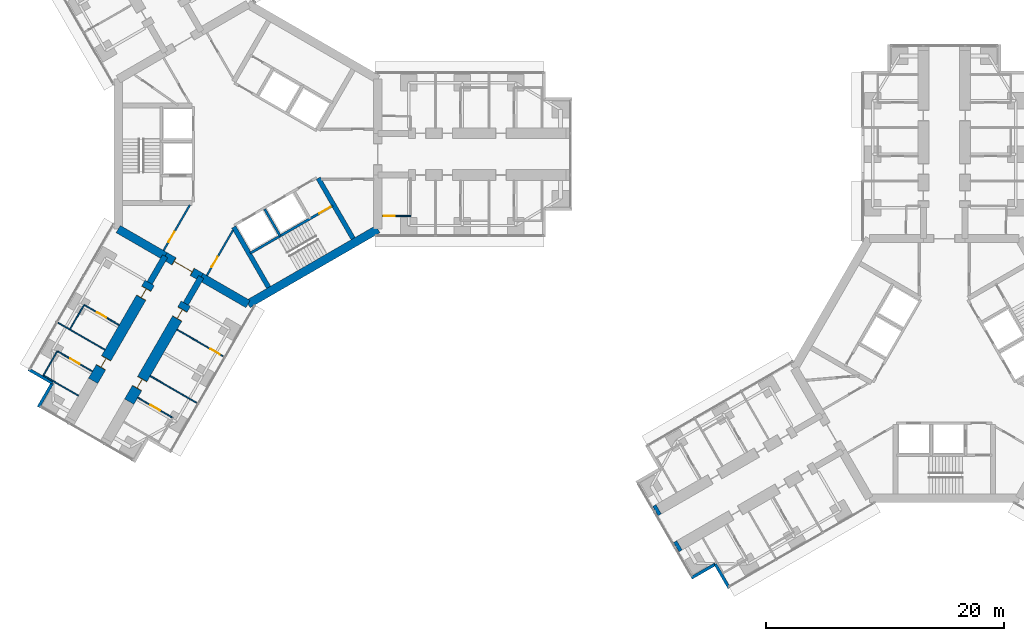
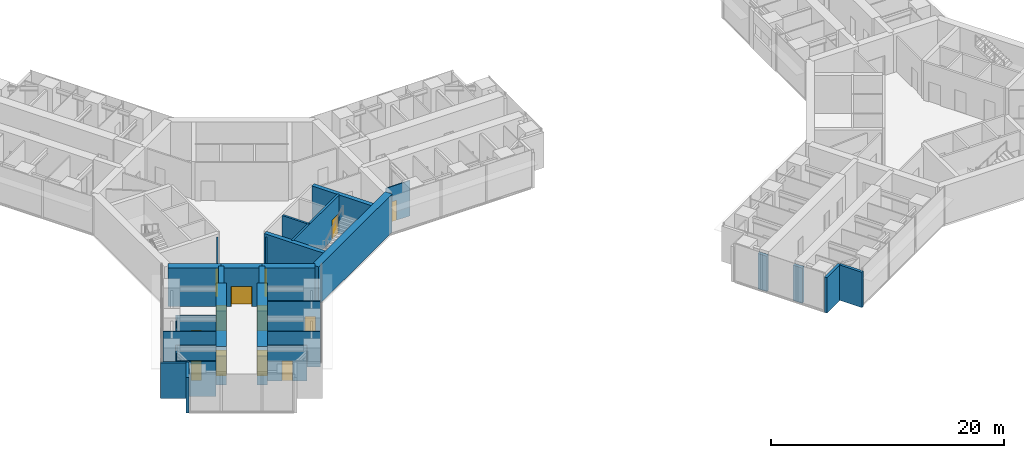
# One storey, part 16 of 25: 30 walls, 13 doors, 13 openings.
"""IFC4 building model written with IfcOpenShell, lengths in metres."""

from ifc_helpers import new_model, si_unit, direction, frame, frame_2d, origin, place, context, subcontext, project, spatial, rectangle, extrude, material, layer, layer_set, type_object, element, fill, save


model = new_model("IFC4")

# Units and contexts
model_context = context("Model", 3, precision=1e-05, world=origin(), true_north=direction((0.0, 1.0)))
body_context = subcontext(model_context, "Body", "Model", "MODEL_VIEW")
ifc_project = project(units=[si_unit("LENGTHUNIT", "METRE"), si_unit("AREAUNIT", "SQUARE_METRE"), si_unit("VOLUMEUNIT", "CUBIC_METRE"), si_unit("PLANEANGLEUNIT", "RADIAN"), si_unit("MASSUNIT", "GRAM", prefix="KILO")], contexts=[model_context])

# Site, building, storey
site_placement = place(None, origin())
site = spatial("IfcSite", under=ifc_project, at=site_placement, CompositionType="ELEMENT")
building_placement = place(site_placement, origin())
building = spatial("IfcBuilding", under=site, at=building_placement, Name="Upepo Twin Towers", CompositionType="ELEMENT")
storey_placement = place(building_placement, frame((0.0, 0.0, 88.5)))
storey = spatial("IfcBuildingStorey", under=building, at=storey_placement, Name="L21", CompositionType="ELEMENT", Elevation=88.5)

# Walls
ifc_material_1 = material(Name="Dense concrete blockwork", Category="masonry")
ifc_layer_1 = layer(ifc_material_1, 0.89990234375)
ifc_layer_set_1 = layer_set([ifc_layer_1], Name="Buttress closer 900, blockwork with fire-stopping to the curtain wall")
wall_type_1 = type_object("IfcWallType", Name="Buttress closer 900, blockwork with fire-stopping to the curtain wall", PredefinedType="PARTITIONING", material=ifc_layer_set_1)
for number, where, z_axis, x_axis, name in (
    (1, (36.252197265625, -32.865478515625, 0.0), (0.0, 0.0, 1.0), (-0.866054481515, -0.499949632511, 0.0), "T2 L21 wing B buttress closer L"),
    (2, (34.502197265625, -29.83447265625, 0.0), (0.0, 0.0, 1.0), (-0.866054481515, -0.499949632511, 0.0), "T2 L21 wing B buttress closer R"),
):
    element("IfcWall", number, at=place(storey_placement, frame(where, z_axis=z_axis, x_axis=x_axis)), inside=storey, type_object=wall_type_1, Name=name, PredefinedType="PARTITIONING", context=body_context, shape_type="SweptSolid", body=[
        extrude(rectangle(XDim=0.31005859375, YDim=0.89990234375, at=frame_2d((0.155029296875, 0.0))), origin(), (0.0, 0.0, 1.0), 3.699951171875),
    ])
ifc_material_2 = material(Name="Concrete C60/75", Category="concrete")
ifc_layer_2 = layer(ifc_material_2, 0.5)
ifc_layer_set_2 = layer_set([ifc_layer_2], Name="Concrete C60/75")
wall_type_2 = type_object("IfcWallType", Name="Buttress wall 500 RC", PredefinedType="SHEAR", material=ifc_layer_set_2)
for number, where, z_axis, x_axis, name in (
    (3, (-3.938720703125, -10.32177734375, 0.0), (0.0, 0.0, 1.0), (-0.499918158782, -0.866072649678, 0.0), "T1 wing C buttress wall L"),
    (4, (-6.9697265625, -8.57177734375, 0.0), (0.0, 0.0, 1.0), (-0.499988811324, -0.866031863473, 0.0), "T1 wing C buttress wall R"),
):
    element("IfcWall", number, at=place(storey_placement, frame(where, z_axis=z_axis, x_axis=x_axis)), inside=storey, type_object=wall_type_2, Name=name, PredefinedType="SHEAR", context=body_context, shape_type="SweptSolid", body=[
        extrude(rectangle(XDim=2.591796875, YDim=0.5, at=frame_2d((1.2958984375, 0.0))), origin(), (0.0, 0.0, 1.0), 4.0),
    ])

# Wall, openings, doors
ifc_material_3 = material(Name="Concrete C60/75", Category="concrete")
ifc_layer_3 = layer(ifc_material_3, 0.89990234375)
ifc_layer_set_3 = layer_set([ifc_layer_3], Name="Concrete C60/75")
wall_type_3 = type_object("IfcWallType", Name="Buttress wall 900 RC", PredefinedType="SHEAR", material=ifc_layer_set_3)
wall_1_placement = place(storey_placement, frame((-5.234375, -12.56640625, 0.0), z_axis=(0.0, 0.0, 1.0), x_axis=(-0.499997557548, -0.86602681393, 0.0)))
wall_1 = element("IfcWall", 5, at=wall_1_placement, inside=storey, type_object=wall_type_3, Name="T1 wing C buttress wall L part 2", PredefinedType="SHEAR", context=body_context, shape_type="SweptSolid", body=[
    extrude(rectangle(XDim=9.5, YDim=0.89990234375, at=frame_2d((4.75, 0.0))), origin(), (0.0, 0.0, 1.0), 4.0),
])
opening_1_placement = place(wall_1_placement, frame((0.550048828125, 0.0, 0.0)))
opening_1 = element("IfcOpeningElement", 6, at=opening_1_placement, cuts=wall_1, Name="Opening D14", PredefinedType="OPENING", context=body_context, shape_type="SweptSolid", body=[
    extrude(rectangle(XDim=0.89990234375, YDim=2.10009765625, at=frame_2d((0.449951171875, 1.050048828125))), frame((0.0, 0.4599609375, 0.0), z_axis=(0.0, -1.0, 0.0), x_axis=(1.0, 0.0, 0.0)), (0.0, 0.0, 1.0), 0.919921875),
])
opening_2_placement = place(wall_1_placement, frame((7.300048828125, 0.0, 0.0)))
opening_2 = element("IfcOpeningElement", 7, at=opening_2_placement, cuts=wall_1, Name="Opening D14", PredefinedType="OPENING", context=body_context, shape_type="SweptSolid", body=[
    extrude(rectangle(XDim=0.89990234375, YDim=2.10009765625, at=frame_2d((0.449951171875, 1.050048828125))), frame((0.0, 0.4599609375, 0.0), z_axis=(0.0, -1.0, 0.0), x_axis=(1.0, 0.0, 0.0)), (0.0, 0.0, 1.0), 0.919921875),
])
ifc_material_4 = material(Name="Timber doorset", Category="wood")
door_type_1 = type_object("IfcDoorType", Name="Office door 900 FD30", OperationType="SINGLE_SWING_LEFT", PredefinedType="DOOR", material=ifc_material_4)
door_1_placement = place(opening_1_placement, origin())
door_1 = element("IfcDoor", 8, at=door_1_placement, inside=storey, type_object=door_type_1, Name="T1 L21 meeting room door", OperationType="SINGLE_SWING_LEFT", OverallHeight=2.10009765625, OverallWidth=0.89990234375, PredefinedType="DOOR", context=body_context, shape_type="SweptSolid", body=[
    extrude(rectangle(XDim=0.81990234375, YDim=2.06009765625, at=frame_2d((0.449951171875, 1.030029296875))), frame((0.0, 0.02490234375, 0.0), z_axis=(0.0, -1.0, 0.0), x_axis=(1.0, 0.0, 0.0)), (0.0, 0.0, 1.0), 0.050048828125),
    extrude(rectangle(XDim=0.04, YDim=2.10009765625, at=frame_2d((0.02001953125, 1.050048828125))), frame((0.0, 0.44970703125, 0.0), z_axis=(0.0, -1.0, 0.0), x_axis=(1.0, 0.0, 0.0)), (0.0, 0.0, 1.0), 0.8994140625),
    extrude(rectangle(XDim=0.04, YDim=2.10009765625, at=frame_2d((0.8798828125, 1.050048828125))), frame((0.0, 0.44970703125, 0.0), z_axis=(0.0, -1.0, 0.0), x_axis=(1.0, 0.0, 0.0)), (0.0, 0.0, 1.0), 0.8994140625),
    extrude(rectangle(XDim=0.81990234375, YDim=0.04, at=frame_2d((0.449951171875, 2.080078125))), frame((0.0, 0.44970703125, 0.0), z_axis=(0.0, -1.0, 0.0), x_axis=(1.0, 0.0, 0.0)), (0.0, 0.0, 1.0), 0.8994140625),
])
fill(opening_1, door_1)
door_2_placement = place(opening_2_placement, origin())
door_2 = element("IfcDoor", 9, at=door_2_placement, inside=storey, type_object=door_type_1, Name="T1 L21 staff office door", OperationType="SINGLE_SWING_RIGHT", OverallHeight=2.10009765625, OverallWidth=0.89990234375, PredefinedType="DOOR", context=body_context, shape_type="SweptSolid", body=[
    extrude(rectangle(XDim=0.81990234375, YDim=2.06009765625, at=frame_2d((0.449951171875, 1.030029296875))), frame((0.0, 0.02490234375, 0.0), z_axis=(0.0, -1.0, 0.0), x_axis=(1.0, 0.0, 0.0)), (0.0, 0.0, 1.0), 0.050048828125),
    extrude(rectangle(XDim=0.04, YDim=2.10009765625, at=frame_2d((0.02001953125, 1.050048828125))), frame((0.0, 0.44970703125, 0.0), z_axis=(0.0, -1.0, 0.0), x_axis=(1.0, 0.0, 0.0)), (0.0, 0.0, 1.0), 0.8994140625),
    extrude(rectangle(XDim=0.04, YDim=2.10009765625, at=frame_2d((0.8798828125, 1.050048828125))), frame((0.0, 0.44970703125, 0.0), z_axis=(0.0, -1.0, 0.0), x_axis=(1.0, 0.0, 0.0)), (0.0, 0.0, 1.0), 0.8994140625),
    extrude(rectangle(XDim=0.81990234375, YDim=0.04, at=frame_2d((0.449951171875, 2.080078125))), frame((0.0, 0.44970703125, 0.0), z_axis=(0.0, -1.0, 0.0), x_axis=(1.0, 0.0, 0.0)), (0.0, 0.0, 1.0), 0.8994140625),
])
fill(opening_2, door_2)

wall_2_placement = place(storey_placement, frame((-8.265625, -10.81640625, 0.0), z_axis=(0.0, 0.0, 1.0), x_axis=(-0.499997557548, -0.86602681393, 0.0)))
wall_2 = element("IfcWall", 10, at=wall_2_placement, inside=storey, type_object=wall_type_3, Name="T1 wing C buttress wall R part 2", PredefinedType="SHEAR", context=body_context, shape_type="SweptSolid", body=[
    extrude(rectangle(XDim=9.5, YDim=0.89990234375, at=frame_2d((4.75, 0.0))), origin(), (0.0, 0.0, 1.0), 4.0),
])
opening_3_placement = place(wall_2_placement, frame((0.550048828125, 0.0, 0.0)))
opening_3 = element("IfcOpeningElement", 11, at=opening_3_placement, cuts=wall_2, Name="Opening D14", PredefinedType="OPENING", context=body_context, shape_type="SweptSolid", body=[
    extrude(rectangle(XDim=0.89990234375, YDim=2.10009765625, at=frame_2d((0.449951171875, 1.050048828125))), frame((0.0, 0.4599609375, 0.0), z_axis=(0.0, -1.0, 0.0), x_axis=(1.0, 0.0, 0.0)), (0.0, 0.0, 1.0), 0.919921875),
])
opening_4_placement = place(wall_2_placement, frame((7.300048828125, 0.0, 0.0)))
opening_4 = element("IfcOpeningElement", 12, at=opening_4_placement, cuts=wall_2, Name="Opening D14", PredefinedType="OPENING", context=body_context, shape_type="SweptSolid", body=[
    extrude(rectangle(XDim=0.89990234375, YDim=2.10009765625, at=frame_2d((0.449951171875, 1.050048828125))), frame((0.0, 0.4599609375, 0.0), z_axis=(0.0, -1.0, 0.0), x_axis=(1.0, 0.0, 0.0)), (0.0, 0.0, 1.0), 0.919921875),
])
door_3_placement = place(opening_3_placement, origin())
door_3 = element("IfcDoor", 13, at=door_3_placement, inside=storey, type_object=door_type_1, Name="T1 L21 open-plan staff office door", OperationType="SINGLE_SWING_LEFT", OverallHeight=2.10009765625, OverallWidth=0.89990234375, PredefinedType="DOOR", context=body_context, shape_type="SweptSolid", body=[
    extrude(rectangle(XDim=0.81990234375, YDim=2.06009765625, at=frame_2d((0.449951171875, 1.030029296875))), frame((0.0, 0.02490234375, 0.0), z_axis=(0.0, -1.0, 0.0), x_axis=(1.0, 0.0, 0.0)), (0.0, 0.0, 1.0), 0.050048828125),
    extrude(rectangle(XDim=0.04, YDim=2.10009765625, at=frame_2d((0.02001953125, 1.050048828125))), frame((0.0, 0.44970703125, 0.0), z_axis=(0.0, -1.0, 0.0), x_axis=(1.0, 0.0, 0.0)), (0.0, 0.0, 1.0), 0.8994140625),
    extrude(rectangle(XDim=0.04, YDim=2.10009765625, at=frame_2d((0.8798828125, 1.050048828125))), frame((0.0, 0.44970703125, 0.0), z_axis=(0.0, -1.0, 0.0), x_axis=(1.0, 0.0, 0.0)), (0.0, 0.0, 1.0), 0.8994140625),
    extrude(rectangle(XDim=0.81990234375, YDim=0.04, at=frame_2d((0.449951171875, 2.080078125))), frame((0.0, 0.44970703125, 0.0), z_axis=(0.0, -1.0, 0.0), x_axis=(1.0, 0.0, 0.0)), (0.0, 0.0, 1.0), 0.8994140625),
])
fill(opening_3, door_3)
door_4_placement = place(opening_4_placement, origin())
door_4 = element("IfcDoor", 14, at=door_4_placement, inside=storey, type_object=door_type_1, Name="T1 L21 postgraduate office door", OperationType="SINGLE_SWING_RIGHT", OverallHeight=2.10009765625, OverallWidth=0.89990234375, PredefinedType="DOOR", context=body_context, shape_type="SweptSolid", body=[
    extrude(rectangle(XDim=0.81990234375, YDim=2.06009765625, at=frame_2d((0.449951171875, 1.030029296875))), frame((0.0, 0.02490234375, 0.0), z_axis=(0.0, -1.0, 0.0), x_axis=(1.0, 0.0, 0.0)), (0.0, 0.0, 1.0), 0.050048828125),
    extrude(rectangle(XDim=0.04, YDim=2.10009765625, at=frame_2d((0.02001953125, 1.050048828125))), frame((0.0, 0.44970703125, 0.0), z_axis=(0.0, -1.0, 0.0), x_axis=(1.0, 0.0, 0.0)), (0.0, 0.0, 1.0), 0.8994140625),
    extrude(rectangle(XDim=0.04, YDim=2.10009765625, at=frame_2d((0.8798828125, 1.050048828125))), frame((0.0, 0.44970703125, 0.0), z_axis=(0.0, -1.0, 0.0), x_axis=(1.0, 0.0, 0.0)), (0.0, 0.0, 1.0), 0.8994140625),
    extrude(rectangle(XDim=0.81990234375, YDim=0.04, at=frame_2d((0.449951171875, 2.080078125))), frame((0.0, 0.44970703125, 0.0), z_axis=(0.0, -1.0, 0.0), x_axis=(1.0, 0.0, 0.0)), (0.0, 0.0, 1.0), 0.8994140625),
])
fill(opening_4, door_4)

# Wall
ifc_material_5 = material(Name="Concrete C60/75", Category="concrete")
ifc_layer_4 = layer(ifc_material_5, 0.699951171875)
ifc_layer_set_4 = layer_set([ifc_layer_4], Name="Concrete C60/75")
wall_type_4 = type_object("IfcWallType", Name="Core wall 700 RC", PredefinedType="SHEAR", material=ifc_layer_set_4)
wall_3_placement = place(storey_placement, frame((-10.908447265625, -6.2978515625, 0.0), z_axis=(0.0, 0.0, 1.0), x_axis=(0.866034513004, -0.499984222037, 0.0)))
element("IfcWall", 15, at=wall_3_placement, inside=storey, type_object=wall_type_4, Name="T1 core wall 240 R", PredefinedType="SHEAR", context=body_context, shape_type="SweptSolid", body=[
    extrude(rectangle(XDim=4.548095703125, YDim=0.699951171875, at=frame_2d((2.27392578125, 0.0))), origin(), (0.0, 0.0, 1.0), 4.0),
])

# Wall, opening, door
wall_4_placement = place(storey_placement, frame((-6.9697265625, -8.57177734375, 0.0), z_axis=(0.0, 0.0, 1.0), x_axis=(0.866019471182, -0.500010275428, 0.0)))
wall_4 = element("IfcWall", 16, at=wall_4_placement, inside=storey, type_object=wall_type_4, Name="T1 core wall 240", PredefinedType="SHEAR", context=body_context, shape_type="SweptSolid", body=[
    extrude(rectangle(XDim=3.5, YDim=0.699951171875, at=frame_2d((1.75, 0.0))), origin(), (0.0, 0.0, 1.0), 4.0),
])
opening_5_placement = place(wall_4_placement, frame((0.85009765625, 0.0, 0.0)))
opening_5 = element("IfcOpeningElement", 17, at=opening_5_placement, cuts=wall_4, Name="Opening D2", PredefinedType="OPENING", context=body_context, shape_type="SweptSolid", body=[
    extrude(rectangle(XDim=1.800048828125, YDim=2.10009765625, at=frame_2d((0.89990234375, 1.050048828125))), frame((0.0, 0.35986328125, 0.0), z_axis=(0.0, -1.0, 0.0), x_axis=(1.0, 0.0, 0.0)), (0.0, 0.0, 1.0), 0.719970703125),
])
ifc_material_6 = material(Name="Timber doorset", Category="wood")
door_type_2 = type_object("IfcDoorType", Name="Corridor double door 1800 FD60", OperationType="DOUBLE_DOOR_DOUBLE_SWING", PredefinedType="DOOR", material=ifc_material_6)
door_5_placement = place(opening_5_placement, origin())
door_5 = element("IfcDoor", 18, at=door_5_placement, inside=storey, type_object=door_type_2, Name="T1 L21 wing C corridor door", OperationType="DOUBLE_DOOR_DOUBLE_SWING", OverallHeight=2.10009765625, OverallWidth=1.800048828125, PredefinedType="DOOR", context=body_context, shape_type="SweptSolid", body=[
    extrude(rectangle(XDim=1.720048828125, YDim=2.06009765625, at=frame_2d((0.89990234375, 1.030029296875))), frame((0.0, 0.02490234375, 0.0), z_axis=(0.0, -1.0, 0.0), x_axis=(1.0, 0.0, 0.0)), (0.0, 0.0, 1.0), 0.050048828125),
    extrude(rectangle(XDim=0.04, YDim=2.10009765625, at=frame_2d((0.02001953125, 1.050048828125))), frame((0.0, 0.349609375, 0.0), z_axis=(0.0, -1.0, 0.0), x_axis=(1.0, 0.0, 0.0)), (0.0, 0.0, 1.0), 0.699462890625),
    extrude(rectangle(XDim=0.04, YDim=2.10009765625, at=frame_2d((1.780029296875, 1.050048828125))), frame((0.0, 0.349609375, 0.0), z_axis=(0.0, -1.0, 0.0), x_axis=(1.0, 0.0, 0.0)), (0.0, 0.0, 1.0), 0.699462890625),
    extrude(rectangle(XDim=1.720048828125, YDim=0.04, at=frame_2d((0.89990234375, 2.080078125))), frame((0.0, 0.349609375, 0.0), z_axis=(0.0, -1.0, 0.0), x_axis=(1.0, 0.0, 0.0)), (0.0, 0.0, 1.0), 0.699462890625),
])
fill(opening_5, door_5)

# Walls
wall_5_placement = place(storey_placement, frame((-3.938720703125, -10.32177734375, 0.0), z_axis=(0.0, 0.0, 1.0), x_axis=(0.866011268655, -0.500024481964, 0.0)))
element("IfcWall", 19, at=wall_5_placement, inside=storey, type_object=wall_type_4, Name="T1 core wall 240 L", PredefinedType="SHEAR", context=body_context, shape_type="SweptSolid", body=[
    extrude(rectangle(XDim=4.548095703125, YDim=0.699951171875, at=frame_2d((2.27392578125, 0.0))), origin(), (0.0, 0.0, 1.0), 4.0),
])
wall_6_placement = place(storey_placement, frame((0.0, -12.595947265625, 0.0), z_axis=(0.0, 0.0, 1.0), x_axis=(0.866021940709, 0.500005998175, 0.0)))
element("IfcWall", 20, at=wall_6_placement, inside=storey, type_object=wall_type_4, Name="T1 core wall 300", PredefinedType="SHEAR", context=body_context, shape_type="SweptSolid", body=[
    extrude(rectangle(XDim=12.595947265625, YDim=0.699951171875, at=frame_2d((6.2978515625, 0.0))), origin(), (0.0, 0.0, 1.0), 4.0),
])
ifc_material_7 = material(Name="Blockwork with anodised aluminium cladding", Category="masonry")
ifc_layer_5 = layer(ifc_material_7, 0.25)
ifc_layer_set_5 = layer_set([ifc_layer_5], Name="Notch cladding wall 250, pale metal")
wall_type_5 = type_object("IfcWallType", Name="Notch cladding wall 250, pale metal", PredefinedType="STANDARD", material=ifc_layer_set_5)
for number, where, z_axis, x_axis, name in (
    (21, (-18.456298828125, -18.0673828125, 0.0), (0.0, 0.0, 1.0), (0.865998469481, -0.500046648681, 0.0), "T1 L21 wing C notch wall R1"),
    (22, (-16.44287109375, -19.22998046875, 0.0), (0.0, 0.0, 1.0), (-0.500046648681, -0.865998469481, 0.0), "T1 L21 wing C notch wall R2"),
    (23, (40.4326171875, -36.456298828125, 0.0), (0.0, 0.0, 1.0), (-0.500046648681, 0.865998469481, 0.0), "T2 L21 wing B notch wall L1"),
    (24, (39.27001953125, -34.44287109375, 0.0), (0.0, 0.0, 1.0), (-0.865998469481, -0.500046648681, 0.0), "T2 L21 wing B notch wall L2"),
):
    element("IfcWall", number, at=place(storey_placement, frame(where, z_axis=z_axis, x_axis=x_axis)), inside=storey, type_object=wall_type_5, Name=name, PredefinedType="STANDARD", context=body_context, shape_type="SweptSolid", body=[
        extrude(rectangle(XDim=2.324951171875, YDim=0.25, at=frame_2d((1.16259765625, 0.0))), origin(), (0.0, 0.0, 1.0), 3.699951171875),
    ])

# Wall, opening, door
ifc_material_8 = material(Name="Gypsum board on steel studs", Category="steel")
ifc_layer_6 = layer(ifc_material_8, 0.10009765625)
ifc_layer_set_6 = layer_set([ifc_layer_6], Name="Office partition 100 stud")
wall_type_6 = type_object("IfcWallType", Name="Office partition 100 stud", PredefinedType="PARTITIONING", material=ifc_layer_set_6)
wall_7_placement = place(storey_placement, frame((11.258056640625, -5.199951171875, 0.0), z_axis=(0.0, 0.0, 1.0), x_axis=(1.0, 0.0, 0.0)))
wall_7 = element("IfcWall", 25, at=wall_7_placement, inside=storey, type_object=wall_type_6, Name="T1 WC bay partition AR at 11.26", PredefinedType="PARTITIONING", context=body_context, shape_type="SweptSolid", body=[
    extrude(rectangle(XDim=2.39990234375, YDim=0.10009765625, at=frame_2d((1.199951171875, 0.0))), origin(), (0.0, 0.0, 1.0), 3.699951171875),
])
opening_6_placement = place(wall_7_placement, frame((0.14990234375, 0.0, 0.0)))
opening_6 = element("IfcOpeningElement", 26, at=opening_6_placement, cuts=wall_7, Name="Opening D14", PredefinedType="OPENING", context=body_context, shape_type="SweptSolid", body=[
    extrude(rectangle(XDim=0.89990234375, YDim=2.10009765625, at=frame_2d((0.449951171875, 1.050048828125))), frame((0.0, 0.06005859375, 0.0), z_axis=(0.0, -1.0, 0.0), x_axis=(1.0, 0.0, 0.0)), (0.0, 0.0, 1.0), 0.1201171875),
])
door_6_placement = place(opening_6_placement, origin())
door_6 = element("IfcDoor", 27, at=door_6_placement, inside=storey, type_object=door_type_1, Name="T1 L21 WC bay inner room door", OperationType="SINGLE_SWING_LEFT", OverallHeight=2.10009765625, OverallWidth=0.89990234375, PredefinedType="DOOR", context=body_context, shape_type="SweptSolid", body=[
    extrude(rectangle(XDim=0.89990234375, YDim=2.10009765625, at=frame_2d((0.449951171875, 1.050048828125))), frame((0.0, 0.02490234375, 0.0), z_axis=(0.0, -1.0, 0.0), x_axis=(1.0, 0.0, 0.0)), (0.0, 0.0, 1.0), 0.050048828125),
])
fill(opening_6, door_6)

wall_8_placement = place(storey_placement, frame((-5.9697265625, -14.739990234375, 0.0), z_axis=(0.0, 0.0, 1.0), x_axis=(0.866035472144, -0.499982560684, 0.0)))
wall_8 = element("IfcWall", 28, at=wall_8_placement, inside=storey, type_object=wall_type_6, Name="T1 partition CL at 15.75", PredefinedType="PARTITIONING", context=body_context, shape_type="SweptSolid", body=[
    extrude(rectangle(XDim=4.550048828125, YDim=0.10009765625, at=frame_2d((2.27490234375, 0.0))), origin(), (0.0, 0.0, 1.0), 3.699951171875),
])
opening_7_placement = place(wall_8_placement, frame((3.25, 0.0, 0.0)))
opening_7 = element("IfcOpeningElement", 29, at=opening_7_placement, cuts=wall_8, Name="Opening D14", PredefinedType="OPENING", context=body_context, shape_type="SweptSolid", body=[
    extrude(rectangle(XDim=0.89990234375, YDim=2.10009765625, at=frame_2d((0.449951171875, 1.050048828125))), frame((0.0, 0.06005859375, 0.0), z_axis=(0.0, -1.0, 0.0), x_axis=(1.0, 0.0, 0.0)), (0.0, 0.0, 1.0), 0.1201171875),
])
door_7_placement = place(opening_7_placement, origin())
door_7 = element("IfcDoor", 30, at=door_7_placement, inside=storey, type_object=door_type_1, Name="T1 L21 connecting door", OperationType="SINGLE_SWING_RIGHT", OverallHeight=2.10009765625, OverallWidth=0.89990234375, PredefinedType="DOOR", context=body_context, shape_type="SweptSolid", body=[
    extrude(rectangle(XDim=0.89990234375, YDim=2.10009765625, at=frame_2d((0.449951171875, 1.050048828125))), frame((0.0, 0.02490234375, 0.0), z_axis=(0.0, -1.0, 0.0), x_axis=(1.0, 0.0, 0.0)), (0.0, 0.0, 1.0), 0.050048828125),
])
fill(opening_7, door_7)

# Wall
wall_9_placement = place(storey_placement, frame((-8.2197265625, -18.636962890625, 0.0), z_axis=(0.0, 0.0, 1.0), x_axis=(0.866012237902, -0.500022803284, 0.0)))
element("IfcWall", 31, at=wall_9_placement, inside=storey, type_object=wall_type_6, Name="T1 partition CL at 20.25", PredefinedType="PARTITIONING", context=body_context, shape_type="SweptSolid", body=[
    extrude(rectangle(XDim=4.550048828125, YDim=0.10009765625, at=frame_2d((2.27490234375, 0.0))), origin(), (0.0, 0.0, 1.0), 3.699951171875),
])

# Wall, opening, door
wall_10_placement = place(storey_placement, frame((-9.269775390625, -20.45556640625, 0.0), z_axis=(0.0, 0.0, 1.0), x_axis=(0.866007419912, -0.500031147688, 0.0)))
wall_10 = element("IfcWall", 32, at=wall_10_placement, inside=storey, type_object=wall_type_6, Name="T1 inner room partition CL end at 22.35", PredefinedType="PARTITIONING", context=body_context, shape_type="SweptSolid", body=[
    extrude(rectangle(XDim=3.400146484375, YDim=0.10009765625, at=frame_2d((1.7001953125, 0.0))), origin(), (0.0, 0.0, 1.0), 3.699951171875),
])
opening_8_placement = place(wall_10_placement, frame((1.25, 0.0, 0.0)))
opening_8 = element("IfcOpeningElement", 33, at=opening_8_placement, cuts=wall_10, Name="Opening D14", PredefinedType="OPENING", context=body_context, shape_type="SweptSolid", body=[
    extrude(rectangle(XDim=0.89990234375, YDim=2.10009765625, at=frame_2d((0.449951171875, 1.050048828125))), frame((0.0, 0.06005859375, 0.0), z_axis=(0.0, -1.0, 0.0), x_axis=(1.0, 0.0, 0.0)), (0.0, 0.0, 1.0), 0.1201171875),
])
door_8_placement = place(opening_8_placement, origin())
door_8 = element("IfcDoor", 34, at=door_8_placement, inside=storey, type_object=door_type_1, Name="T1 L21 inner room door", OperationType="SINGLE_SWING_LEFT", OverallHeight=2.10009765625, OverallWidth=0.89990234375, PredefinedType="DOOR", context=body_context, shape_type="SweptSolid", body=[
    extrude(rectangle(XDim=0.89990234375, YDim=2.10009765625, at=frame_2d((0.449951171875, 1.050048828125))), frame((0.0, 0.02490234375, 0.0), z_axis=(0.0, -1.0, 0.0), x_axis=(1.0, 0.0, 0.0)), (0.0, 0.0, 1.0), 0.050048828125),
])
fill(opening_8, door_8)

# Walls
wall_11_placement = place(storey_placement, frame((-12.0302734375, -16.43701171875, 0.0), z_axis=(0.0, 0.0, 1.0), x_axis=(-0.866035472144, 0.499982560684, 0.0)))
element("IfcWall", 35, at=wall_11_placement, inside=storey, type_object=wall_type_6, Name="T1 partition CR at 20.25", PredefinedType="PARTITIONING", context=body_context, shape_type="SweptSolid", body=[
    extrude(rectangle(XDim=4.550048828125, YDim=0.10009765625, at=frame_2d((2.27490234375, 0.0))), origin(), (0.0, 0.0, 1.0), 3.699951171875),
])
wall_12_placement = place(storey_placement, frame((-13.774658203125, -12.658447265625, 0.0), z_axis=(0.0, 0.0, 1.0), x_axis=(-0.500033551112, -0.866006032174, 0.0)))
element("IfcWall", 36, at=wall_12_placement, inside=storey, type_object=wall_type_6, Name="T1 inner room partition CR at 17.85", PredefinedType="PARTITIONING", context=body_context, shape_type="SweptSolid", body=[
    extrude(rectangle(XDim=2.400146484375, YDim=0.10009765625, at=frame_2d((1.2001953125, 0.0))), origin(), (0.0, 0.0, 1.0), 3.699951171875),
])

# Wall, opening, door
wall_13_placement = place(storey_placement, frame((-10.830322265625, -14.358642578125, 0.0), z_axis=(0.0, 0.0, 1.0), x_axis=(-0.865989465428, 0.500062241894, 0.0)))
wall_13 = element("IfcWall", 37, at=wall_13_placement, inside=storey, type_object=wall_type_6, Name="T1 inner room partition CR end at 17.85", PredefinedType="PARTITIONING", context=body_context, shape_type="SweptSolid", body=[
    extrude(rectangle(XDim=3.39990234375, YDim=0.10009765625, at=frame_2d((1.699951171875, 0.0))), origin(), (0.0, 0.0, 1.0), 3.699951171875),
])
opening_9_placement = place(wall_13_placement, frame((1.25, 0.0, 0.0)))
opening_9 = element("IfcOpeningElement", 38, at=opening_9_placement, cuts=wall_13, Name="Opening D14", PredefinedType="OPENING", context=body_context, shape_type="SweptSolid", body=[
    extrude(rectangle(XDim=0.89990234375, YDim=2.10009765625, at=frame_2d((0.449951171875, 1.050048828125))), frame((0.0, 0.06005859375, 0.0), z_axis=(0.0, -1.0, 0.0), x_axis=(1.0, 0.0, 0.0)), (0.0, 0.0, 1.0), 0.1201171875),
])
door_9_placement = place(opening_9_placement, origin())
door_9 = element("IfcDoor", 39, at=door_9_placement, inside=storey, type_object=door_type_1, Name="T1 L21 inner room door", OperationType="SINGLE_SWING_LEFT", OverallHeight=2.10009765625, OverallWidth=0.89990234375, PredefinedType="DOOR", context=body_context, shape_type="SweptSolid", body=[
    extrude(rectangle(XDim=0.89990234375, YDim=2.10009765625, at=frame_2d((0.449951171875, 1.050048828125))), frame((0.0, 0.02490234375, 0.0), z_axis=(0.0, -1.0, 0.0), x_axis=(1.0, 0.0, 0.0)), (0.0, 0.0, 1.0), 0.050048828125),
])
fill(opening_9, door_9)

# Wall
wall_14_placement = place(storey_placement, frame((-16.024658203125, -16.5556640625, 0.0), z_axis=(0.0, 0.0, 1.0), x_axis=(-0.500077600433, -0.865980596518, 0.0)))
element("IfcWall", 40, at=wall_14_placement, inside=storey, type_object=wall_type_6, Name="T1 inner room partition CR at 22.35", PredefinedType="PARTITIONING", context=body_context, shape_type="SweptSolid", body=[
    extrude(rectangle(XDim=2.39990234375, YDim=0.10009765625, at=frame_2d((1.199951171875, 0.0))), origin(), (0.0, 0.0, 1.0), 3.699951171875),
])

# Wall, opening, door
wall_15_placement = place(storey_placement, frame((-13.080322265625, -18.255615234375, 0.0), z_axis=(0.0, 0.0, 1.0), x_axis=(-0.866020560687, 0.500008388397, 0.0)))
wall_15 = element("IfcWall", 41, at=wall_15_placement, inside=storey, type_object=wall_type_6, Name="T1 inner room partition CR end at 22.35", PredefinedType="PARTITIONING", context=body_context, shape_type="SweptSolid", body=[
    extrude(rectangle(XDim=3.39990234375, YDim=0.10009765625, at=frame_2d((1.699951171875, 0.0))), origin(), (0.0, 0.0, 1.0), 3.699951171875),
])
opening_10_placement = place(wall_15_placement, frame((1.25, 0.0, 0.0)))
opening_10 = element("IfcOpeningElement", 42, at=opening_10_placement, cuts=wall_15, Name="Opening D14", PredefinedType="OPENING", context=body_context, shape_type="SweptSolid", body=[
    extrude(rectangle(XDim=0.89990234375, YDim=2.10009765625, at=frame_2d((0.449951171875, 1.050048828125))), frame((0.0, 0.06005859375, 0.0), z_axis=(0.0, -1.0, 0.0), x_axis=(1.0, 0.0, 0.0)), (0.0, 0.0, 1.0), 0.1201171875),
])
door_10_placement = place(opening_10_placement, origin())
door_10 = element("IfcDoor", 43, at=door_10_placement, inside=storey, type_object=door_type_1, Name="T1 L21 inner room door", OperationType="SINGLE_SWING_LEFT", OverallHeight=2.10009765625, OverallWidth=0.89990234375, PredefinedType="DOOR", context=body_context, shape_type="SweptSolid", body=[
    extrude(rectangle(XDim=0.89990234375, YDim=2.10009765625, at=frame_2d((0.449951171875, 1.050048828125))), frame((0.0, 0.02490234375, 0.0), z_axis=(0.0, -1.0, 0.0), x_axis=(1.0, 0.0, 0.0)), (0.0, 0.0, 1.0), 0.050048828125),
])
fill(opening_10, door_10)

# Walls
wall_16_placement = place(storey_placement, frame((-14.25537109375, -20.290771484375, 0.0), z_axis=(0.0, 0.0, 1.0), x_axis=(-0.866020560687, 0.500008388397, 0.0)))
element("IfcWall", 44, at=wall_16_placement, inside=storey, type_object=wall_type_6, Name="T1 inner room partition CR end at 24.75", PredefinedType="PARTITIONING", context=body_context, shape_type="SweptSolid", body=[
    extrude(rectangle(XDim=3.39990234375, YDim=0.10009765625, at=frame_2d((1.699951171875, 0.0))), origin(), (0.0, 0.0, 1.0), 3.699951171875),
])
ifc_material_9 = material(Name="Concrete C40/50", Category="concrete")
ifc_layer_7 = layer(ifc_material_9, 0.199951171875)
ifc_layer_set_7 = layer_set([ifc_layer_7], Name="Concrete C40/50")
wall_type_7 = type_object("IfcWallType", Name="Shaft wall 200 RC", PredefinedType="SHEAR", material=ifc_layer_set_7)
wall_17_placement = place(storey_placement, frame((1.3974609375, -4.620361328125, 0.0), z_axis=(0.0, 0.0, 1.0), x_axis=(0.499936506574, -0.866062058628, 0.0)))
element("IfcWall", 45, at=wall_17_placement, inside=storey, type_object=wall_type_7, Name="T1 core W300 shaft divider", PredefinedType="SHEAR", context=body_context, shape_type="SweptSolid", body=[
    extrude(rectangle(XDim=2.599853515625, YDim=0.199951171875, at=frame_2d((1.2998046875, 0.0))), origin(), (0.0, 0.0, 1.0), 4.0),
])

# Wall, opening, door
wall_18_placement = place(storey_placement, frame((0.185791015625, -8.322021484375, 0.0), z_axis=(0.0, 0.0, 1.0), x_axis=(0.866026010844, 0.49999894854, 0.0)))
wall_18 = element("IfcWall", 46, at=wall_18_placement, inside=storey, type_object=wall_type_7, Name="T1 core W300 stair wall", PredefinedType="SHEAR", context=body_context, shape_type="SweptSolid", body=[
    extrude(rectangle(XDim=8.0, YDim=0.199951171875, at=frame_2d((4.0, 0.0))), origin(), (0.0, 0.0, 1.0), 4.0),
])
opening_11_placement = place(wall_18_placement, frame((6.699951171875, 0.0, 0.0)))
opening_11 = element("IfcOpeningElement", 47, at=opening_11_placement, cuts=wall_18, Name="Opening D3", PredefinedType="OPENING", context=body_context, shape_type="SweptSolid", body=[
    extrude(rectangle(XDim=1.10009765625, YDim=2.10009765625, at=frame_2d((0.550048828125, 1.050048828125))), frame((0.0, 0.10986328125, 0.0), z_axis=(0.0, -1.0, 0.0), x_axis=(1.0, 0.0, 0.0)), (0.0, 0.0, 1.0), 0.219970703125),
])
ifc_material_10 = material(Name="Timber doorset", Category="wood")
door_type_3 = type_object("IfcDoorType", Name="Stair door 1100 FD60", OperationType="SINGLE_SWING_LEFT", PredefinedType="DOOR", material=ifc_material_10)
door_11_placement = place(opening_11_placement, origin())
door_11 = element("IfcDoor", 48, at=door_11_placement, inside=storey, type_object=door_type_3, Name="T1 L21 stair door", OperationType="SINGLE_SWING_RIGHT", OverallHeight=2.10009765625, OverallWidth=1.10009765625, PredefinedType="DOOR", context=body_context, shape_type="SweptSolid", body=[
    extrude(rectangle(XDim=1.10009765625, YDim=2.10009765625, at=frame_2d((0.550048828125, 1.050048828125))), frame((0.0, 0.02490234375, 0.0), z_axis=(0.0, -1.0, 0.0), x_axis=(1.0, 0.0, 0.0)), (0.0, 0.0, 1.0), 0.050048828125),
])
fill(opening_11, door_11)

# Walls
ifc_material_11 = material(Name="Concrete C40/50", Category="concrete")
ifc_layer_8 = layer(ifc_material_11, 0.39990234375)
ifc_layer_set_8 = layer_set([ifc_layer_8], Name="Concrete C40/50")
wall_type_8 = type_object("IfcWallType", Name="Shaft wall 400 RC", PredefinedType="SHEAR", material=ifc_layer_set_8)
for number, where, z_axis, x_axis, name in (
    (49, (5.900634765625, -2.020263671875, 0.0), (0.0, 0.0, 1.0), (0.500002627198, -0.866023886965, 0.0), "T1 core W300 side wall N"),
    (50, (-1.20068359375, -6.120361328125, 0.0), (0.0, 0.0, 1.0), (0.500002627198, -0.866023886965, 0.0), "T1 core W300 side wall S"),
):
    element("IfcWall", number, at=place(storey_placement, frame(where, z_axis=z_axis, x_axis=x_axis)), inside=storey, type_object=wall_type_8, Name=name, PredefinedType="SHEAR", context=body_context, shape_type="SweptSolid", body=[
        extrude(rectangle(XDim=5.8583984375, YDim=0.39990234375, at=frame_2d((2.92919921875, 0.0))), origin(), (0.0, 0.0, 1.0), 4.0),
    ])

# Wall, opening, door
ifc_material_12 = material(Name="Gypsum board on steel studs", Category="steel")
ifc_layer_9 = layer(ifc_material_12, 0.14990234375)
ifc_layer_set_9 = layer_set([ifc_layer_9], Name="Teaching partition 150 acoustic")
wall_type_9 = type_object("IfcWallType", Name="Teaching partition 150 acoustic", PredefinedType="PARTITIONING", material=ifc_layer_set_9)
wall_19_placement = place(storey_placement, frame((-1.252685546875, -6.36962890625, 0.0), z_axis=(0.0, 0.0, 1.0), x_axis=(-0.500007369519, -0.866021148949, 0.0)))
wall_19 = element("IfcWall", 51, at=wall_19_placement, inside=storey, type_object=wall_type_9, Name="T1 core room partition 1", PredefinedType="PARTITIONING", context=body_context, shape_type="SweptSolid", body=[
    extrude(rectangle(XDim=4.42578125, YDim=0.14990234375, at=frame_2d((2.212890625, 0.0))), origin(), (0.0, 0.0, 1.0), 3.699951171875),
])
opening_12_placement = place(wall_19_placement, frame((2.597900390625, 0.0, 0.0)))
opening_12 = element("IfcOpeningElement", 52, at=opening_12_placement, cuts=wall_19, Name="Opening D1", PredefinedType="OPENING", context=body_context, shape_type="SweptSolid", body=[
    extrude(rectangle(XDim=1.0, YDim=2.10009765625, at=frame_2d((0.5, 1.050048828125))), frame((0.0, 0.0849609375, 0.0), z_axis=(0.0, -1.0, 0.0), x_axis=(1.0, 0.0, 0.0)), (0.0, 0.0, 1.0), 0.169921875),
])
ifc_material_13 = material(Name="Timber doorset", Category="wood")
door_type_4 = type_object("IfcDoorType", Name="Room door 1000 FD30", OperationType="SINGLE_SWING_LEFT", PredefinedType="DOOR", material=ifc_material_13)
door_12_placement = place(opening_12_placement, origin())
door_12 = element("IfcDoor", 53, at=door_12_placement, inside=storey, type_object=door_type_4, Name="T1 L21 core room door K2", OperationType="SINGLE_SWING_RIGHT", OverallHeight=2.10009765625, OverallWidth=1.0, PredefinedType="DOOR", context=body_context, shape_type="SweptSolid", body=[
    extrude(rectangle(XDim=1.0, YDim=2.10009765625, at=frame_2d((0.5, 1.050048828125))), frame((0.0, 0.02490234375, 0.0), z_axis=(0.0, -1.0, 0.0), x_axis=(1.0, 0.0, 0.0)), (0.0, 0.0, 1.0), 0.050048828125),
])
fill(opening_12, door_12)

wall_20_placement = place(storey_placement, frame((-7.102783203125, -8.1025390625, 0.0), z_axis=(0.0, 0.0, 1.0), x_axis=(0.500007369519, 0.866021148949, 0.0)))
wall_20 = element("IfcWall", 54, at=wall_20_placement, inside=storey, type_object=wall_type_9, Name="T1 core room partition 2", PredefinedType="PARTITIONING", context=body_context, shape_type="SweptSolid", body=[
    extrude(rectangle(XDim=4.42578125, YDim=0.14990234375, at=frame_2d((2.212890625, 0.0))), origin(), (0.0, 0.0, 1.0), 3.699951171875),
])
opening_13_placement = place(wall_20_placement, frame((0.82763671875, 0.0, 0.0)))
opening_13 = element("IfcOpeningElement", 55, at=opening_13_placement, cuts=wall_20, Name="Opening D1", PredefinedType="OPENING", context=body_context, shape_type="SweptSolid", body=[
    extrude(rectangle(XDim=1.0, YDim=2.10009765625, at=frame_2d((0.5, 1.050048828125))), frame((0.0, 0.0849609375, 0.0), z_axis=(0.0, -1.0, 0.0), x_axis=(1.0, 0.0, 0.0)), (0.0, 0.0, 1.0), 0.169921875),
])
door_13_placement = place(opening_13_placement, origin())
door_13 = element("IfcDoor", 56, at=door_13_placement, inside=storey, type_object=door_type_4, Name="T1 L21 core room door K1", OperationType="SINGLE_SWING_LEFT", OverallHeight=2.10009765625, OverallWidth=1.0, PredefinedType="DOOR", context=body_context, shape_type="SweptSolid", body=[
    extrude(rectangle(XDim=1.0, YDim=2.10009765625, at=frame_2d((0.5, 1.050048828125))), frame((0.0, 0.02490234375, 0.0), z_axis=(0.0, -1.0, 0.0), x_axis=(1.0, 0.0, 0.0)), (0.0, 0.0, 1.0), 0.050048828125),
])
fill(opening_13, door_13)

save(model, "model.ifc")
